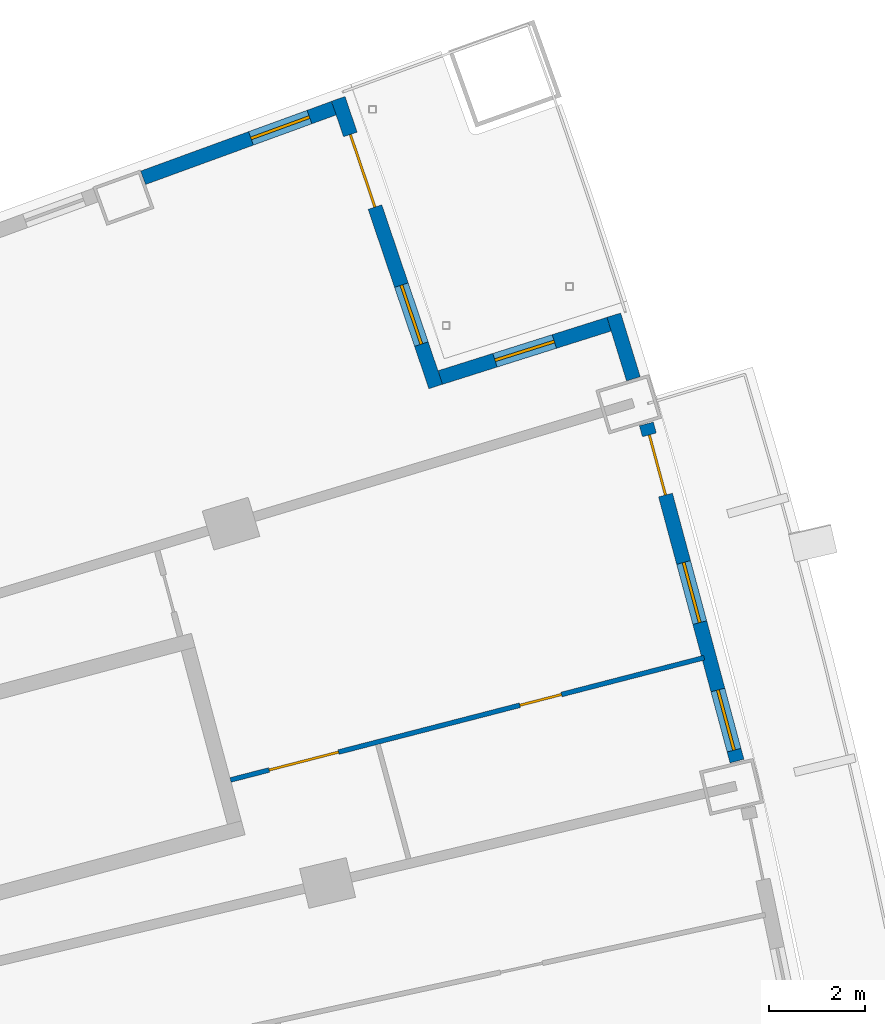
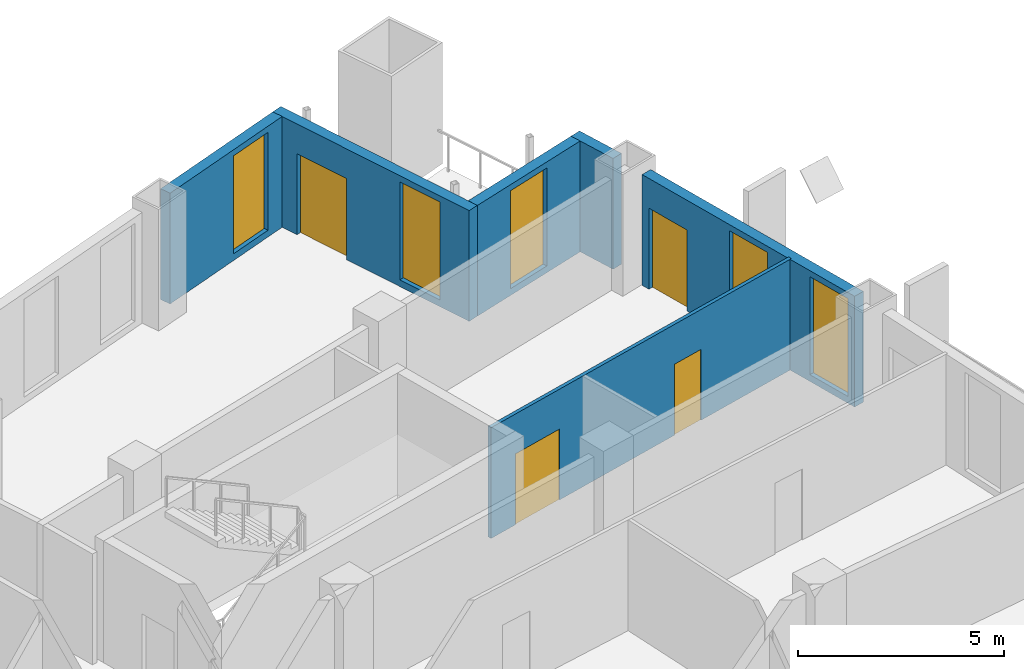
# One storey, part 21 of 25: 6 walls, 5 windows, 4 doors, 9 openings.
"""IFC4 building model written with IfcOpenShell, lengths in metres."""

from ifc_helpers import new_model, si_unit, direction, frame, frame_2d, origin, place, context, subcontext, project, spatial, rectangle, extrude, material, layer, layer_set, type_object, element, fill, save


model = new_model("IFC4")

# Units and contexts
model_context = context("Model", 3, precision=1e-05, world=origin(), true_north=direction((0.0, 1.0)))
body_context = subcontext(model_context, "Body", "Model", "MODEL_VIEW")
ifc_project = project(units=[si_unit("LENGTHUNIT", "METRE"), si_unit("AREAUNIT", "SQUARE_METRE"), si_unit("VOLUMEUNIT", "CUBIC_METRE"), si_unit("PLANEANGLEUNIT", "RADIAN"), si_unit("MASSUNIT", "GRAM", prefix="KILO")], contexts=[model_context])

# Site, building, storey
site_placement = place(None, origin())
site = spatial("IfcSite", under=ifc_project, at=site_placement, CompositionType="ELEMENT")
building_placement = place(site_placement, origin())
building = spatial("IfcBuilding", under=site, at=building_placement, Name="Alderwake Tower", CompositionType="ELEMENT")
storey_placement = place(building_placement, frame((0.0, 0.0, 89.60009765625)))
storey = spatial("IfcBuildingStorey", under=building, at=storey_placement, Name="L21", CompositionType="ELEMENT", Elevation=89.60009765625)

# Wall, openings, door, windows
ifc_material_1 = material(Name="Precast concrete C50/60 spandrel panel", Category="concrete")
ifc_layer_1 = layer(ifc_material_1, 0.300048828125)
ifc_layer_set_1 = layer_set([ifc_layer_1], Name="External wall EW1 Precast concrete C50/60 spandrel")
wall_type_1 = type_object("IfcWallType", Name="External wall EW1 Precast concrete C50/60 spandrel", PredefinedType="SOLIDWALL", material=ifc_layer_set_1)
wall_1_placement = place(storey_placement, frame((58.071044921875, 94.326904296875, 0.0), z_axis=(0.0, 0.0, 1.0), x_axis=(-0.259478431082, 0.965748903082, 0.0)))
wall_1 = element("IfcWall", 1, at=wall_1_placement, inside=storey, type_object=wall_type_1, Name="External wall 21", PredefinedType="SOLIDWALL", context=body_context, shape_type="SweptSolid", body=[
    extrude(rectangle(XDim=7.287109375, YDim=0.300048828125, at=frame_2d((3.6435546875, 0.0))), origin(), (0.0, 0.0, 1.0), 3.27978515625),
])
opening_1_placement = place(wall_1_placement, frame((0.23681640625, 0.0, 0.199951171875)))
opening_1 = element("IfcOpeningElement", 2, at=opening_1_placement, cuts=wall_1, Name="Opening W1", PredefinedType="OPENING", context=body_context, shape_type="SweptSolid", body=[
    extrude(rectangle(XDim=1.300048828125, YDim=2.89990234375, at=frame_2d((0.64990234375, 1.449951171875))), frame((0.0, 0.159912109375, 0.0), z_axis=(0.0, -1.0, 0.0), x_axis=(1.0, 0.0, 0.0)), (0.0, 0.0, 1.0), 0.320068359375),
])
opening_2_placement = place(wall_1_placement, frame((2.99365234375, 0.0, 0.199951171875)))
opening_2 = element("IfcOpeningElement", 3, at=opening_2_placement, cuts=wall_1, Name="Opening W1", PredefinedType="OPENING", context=body_context, shape_type="SweptSolid", body=[
    extrude(rectangle(XDim=1.300048828125, YDim=2.89990234375, at=frame_2d((0.64990234375, 1.449951171875))), frame((0.0, 0.159912109375, 0.0), z_axis=(0.0, -1.0, 0.0), x_axis=(1.0, 0.0, 0.0)), (0.0, 0.0, 1.0), 0.320068359375),
])
opening_3_placement = place(wall_1_placement, frame((5.75048828125, 0.0, 0.0)))
opening_3 = element("IfcOpeningElement", 4, at=opening_3_placement, cuts=wall_1, Name="Opening D11", PredefinedType="OPENING", context=body_context, shape_type="SweptSolid", body=[
    extrude(rectangle(XDim=1.300048828125, YDim=2.39990234375, at=frame_2d((0.64990234375, 1.199951171875))), frame((0.0, 0.159912109375, 0.0), z_axis=(0.0, -1.0, 0.0), x_axis=(1.0, 0.0, 0.0)), (0.0, 0.0, 1.0), 0.320068359375),
])
ifc_material_2 = material(Name="Bronze tinted glass in aluminium frame", Category="aluminium")
door_type_1 = type_object("IfcDoorType", Name="Balcony door BD sliding", OperationType="SLIDING_TO_LEFT", PredefinedType="DOOR", material=ifc_material_2)
door_1_placement = place(opening_3_placement, origin())
door_1 = element("IfcDoor", 5, at=door_1_placement, inside=storey, type_object=door_type_1, Name="Door D11", OperationType="SLIDING_TO_LEFT", OverallHeight=2.39990234375, OverallWidth=1.300048828125, PredefinedType="DOOR", context=body_context, shape_type="SweptSolid", body=[
    extrude(rectangle(XDim=1.300048828125, YDim=2.39990234375, at=frame_2d((0.64990234375, 1.199951171875))), frame((0.0, 0.02490234375, 0.0), z_axis=(0.0, -1.0, 0.0), x_axis=(1.0, 0.0, 0.0)), (0.0, 0.0, 1.0), 0.050048828125),
])
fill(opening_3, door_1)
ifc_material_3 = material(Name="Bronze tinted glass in aluminium frame", Category="aluminium")
window_type = type_object("IfcWindowType", Name="Window W1 tall fixed and vent", PartitioningType="DOUBLE_PANEL_VERTICAL", PredefinedType="WINDOW", material=ifc_material_3)
window_1_placement = place(opening_1_placement, origin())
window_1 = element("IfcWindow", 6, at=window_1_placement, inside=storey, type_object=window_type, Name="Window W1 tall fixed and vent", OverallHeight=2.89990234375, OverallWidth=1.300048828125, PartitioningType="DOUBLE_PANEL_VERTICAL", PredefinedType="WINDOW", context=body_context, shape_type="SweptSolid", body=[
    extrude(rectangle(XDim=1.300048828125, YDim=2.89990234375, at=frame_2d((0.64990234375, 1.449951171875))), frame((0.0, 0.030029296875, 0.0), z_axis=(0.0, -1.0, 0.0), x_axis=(1.0, 0.0, 0.0)), (0.0, 0.0, 1.0), 0.06005859375),
])
fill(opening_1, window_1)
window_2_placement = place(opening_2_placement, origin())
window_2 = element("IfcWindow", 7, at=window_2_placement, inside=storey, type_object=window_type, Name="Window W1 tall fixed and vent", OverallHeight=2.89990234375, OverallWidth=1.300048828125, PartitioningType="DOUBLE_PANEL_VERTICAL", PredefinedType="WINDOW", context=body_context, shape_type="SweptSolid", body=[
    extrude(rectangle(XDim=1.300048828125, YDim=2.89990234375, at=frame_2d((0.64990234375, 1.449951171875))), frame((0.0, 0.030029296875, 0.0), z_axis=(0.0, -1.0, 0.0), x_axis=(1.0, 0.0, 0.0)), (0.0, 0.0, 1.0), 0.06005859375),
])
fill(opening_2, window_2)

# Wall
wall_2_placement = place(storey_placement, frame((55.908935546875, 102.305908203125, 0.0), z_axis=(0.0, 0.0, 1.0), x_axis=(-0.294394228908, 0.955684068082, 0.0)))
element("IfcWall", 8, at=wall_2_placement, inside=storey, type_object=wall_type_1, Name="External wall 22", PredefinedType="SOLIDWALL", context=body_context, shape_type="SweptSolid", body=[
    extrude(rectangle(XDim=1.390625, YDim=0.300048828125, at=frame_2d((0.6953125, 0.0))), origin(), (0.0, 0.0, 1.0), 3.27978515625),
])

# Wall, opening, window
ifc_material_4 = material(Name="Bronze metal cladding on lightweight framing")
ifc_layer_2 = layer(ifc_material_4, 0.300048828125)
ifc_layer_set_2 = layer_set([ifc_layer_2], Name="External wall EW2 bronze metal cladding")
wall_type_2 = type_object("IfcWallType", Name="External wall EW2 bronze metal cladding", PredefinedType="SOLIDWALL", material=ifc_layer_set_2)
wall_3_placement = place(storey_placement, frame((55.400634765625, 103.4462890625, 0.0), z_axis=(0.0, 0.0, 1.0), x_axis=(-0.953472737628, -0.301479250697, 0.0)))
wall_3 = element("IfcWall", 9, at=wall_3_placement, inside=storey, type_object=wall_type_2, Name="External wall 23", PredefinedType="SOLIDWALL", context=body_context, shape_type="SweptSolid", body=[
    extrude(rectangle(XDim=3.6943359375, YDim=0.300048828125, at=frame_2d((1.84716796875, 0.0))), origin(), (0.0, 0.0, 1.0), 3.27978515625),
])
opening_4_placement = place(wall_3_placement, frame((1.197265625, 0.0, 0.199951171875)))
opening_4 = element("IfcOpeningElement", 10, at=opening_4_placement, cuts=wall_3, Name="Opening W1", PredefinedType="OPENING", context=body_context, shape_type="SweptSolid", body=[
    extrude(rectangle(XDim=1.300048828125, YDim=2.89990234375, at=frame_2d((0.64990234375, 1.449951171875))), frame((0.0, 0.159912109375, 0.0), z_axis=(0.0, -1.0, 0.0), x_axis=(1.0, 0.0, 0.0)), (0.0, 0.0, 1.0), 0.320068359375),
])
window_3_placement = place(opening_4_placement, origin())
window_3 = element("IfcWindow", 11, at=window_3_placement, inside=storey, type_object=window_type, Name="Window W1 tall fixed and vent", OverallHeight=2.89990234375, OverallWidth=1.300048828125, PartitioningType="DOUBLE_PANEL_VERTICAL", PredefinedType="WINDOW", context=body_context, shape_type="SweptSolid", body=[
    extrude(rectangle(XDim=1.300048828125, YDim=2.89990234375, at=frame_2d((0.64990234375, 1.449951171875))), frame((0.0, 0.030029296875, 0.0), z_axis=(0.0, -1.0, 0.0), x_axis=(1.0, 0.0, 0.0)), (0.0, 0.0, 1.0), 0.06005859375),
])
fill(opening_4, window_3)

# Wall, openings, door, window
wall_4_placement = place(storey_placement, frame((51.783203125, 102.145263671875, 0.0), z_axis=(0.0, 0.0, 1.0), x_axis=(-0.320891734408, 0.94711588245, 0.0)))
wall_4 = element("IfcWall", 12, at=wall_4_placement, inside=storey, type_object=wall_type_2, Name="External wall 24", PredefinedType="SOLIDWALL", context=body_context, shape_type="SweptSolid", body=[
    extrude(rectangle(XDim=6.339111328125, YDim=0.300048828125, at=frame_2d((3.16943359375, 0.0))), origin(), (0.0, 0.0, 1.0), 3.27978515625),
])
opening_5_placement = place(wall_4_placement, frame((0.934814453125, 0.0, 0.199951171875)))
opening_5 = element("IfcOpeningElement", 13, at=opening_5_placement, cuts=wall_4, Name="Opening W1", PredefinedType="OPENING", context=body_context, shape_type="SweptSolid", body=[
    extrude(rectangle(XDim=1.300048828125, YDim=2.89990234375, at=frame_2d((0.64990234375, 1.449951171875))), frame((0.0, 0.159912109375, 0.0), z_axis=(0.0, -1.0, 0.0), x_axis=(1.0, 0.0, 0.0)), (0.0, 0.0, 1.0), 0.320068359375),
])
opening_6_placement = place(wall_4_placement, frame((3.954345703125, 0.0, 0.0)))
opening_6 = element("IfcOpeningElement", 14, at=opening_6_placement, cuts=wall_4, Name="Opening D12", PredefinedType="OPENING", context=body_context, shape_type="SweptSolid", body=[
    extrude(rectangle(XDim=1.60009765625, YDim=2.39990234375, at=frame_2d((0.800048828125, 1.199951171875))), frame((0.0, 0.159912109375, 0.0), z_axis=(0.0, -1.0, 0.0), x_axis=(1.0, 0.0, 0.0)), (0.0, 0.0, 1.0), 0.320068359375),
])
ifc_material_5 = material(Name="Bronze tinted glass in aluminium frame", Category="aluminium")
door_type_2 = type_object("IfcDoorType", Name="Terrace door TD sliding", OperationType="SLIDING_TO_LEFT", PredefinedType="DOOR", material=ifc_material_5)
door_2_placement = place(opening_6_placement, origin())
door_2 = element("IfcDoor", 15, at=door_2_placement, inside=storey, type_object=door_type_2, Name="Door D12", OperationType="SLIDING_TO_LEFT", OverallHeight=2.39990234375, OverallWidth=1.60009765625, PredefinedType="DOOR", context=body_context, shape_type="SweptSolid", body=[
    extrude(rectangle(XDim=1.60009765625, YDim=2.39990234375, at=frame_2d((0.800048828125, 1.199951171875))), frame((0.0, 0.02490234375, 0.0), z_axis=(0.0, -1.0, 0.0), x_axis=(1.0, 0.0, 0.0)), (0.0, 0.0, 1.0), 0.050048828125),
])
fill(opening_6, door_2)
window_4_placement = place(opening_5_placement, origin())
window_4 = element("IfcWindow", 16, at=window_4_placement, inside=storey, type_object=window_type, Name="Window W1 tall fixed and vent", OverallHeight=2.89990234375, OverallWidth=1.300048828125, PartitioningType="DOUBLE_PANEL_VERTICAL", PredefinedType="WINDOW", context=body_context, shape_type="SweptSolid", body=[
    extrude(rectangle(XDim=1.300048828125, YDim=2.89990234375, at=frame_2d((0.64990234375, 1.449951171875))), frame((0.0, 0.030029296875, 0.0), z_axis=(0.0, -1.0, 0.0), x_axis=(1.0, 0.0, 0.0)), (0.0, 0.0, 1.0), 0.06005859375),
])
fill(opening_5, window_4)

# Wall, opening, window
wall_5_placement = place(storey_placement, frame((49.656494140625, 107.95556640625, 0.0), z_axis=(0.0, 0.0, 1.0), x_axis=(-0.93937558232, -0.342889946398, 0.0)))
wall_5 = element("IfcWall", 17, at=wall_5_placement, inside=storey, type_object=wall_type_2, Name="External wall 25", PredefinedType="SOLIDWALL", context=body_context, shape_type="SweptSolid", body=[
    extrude(rectangle(XDim=4.23779296875, YDim=0.300048828125, at=frame_2d((2.118896484375, 0.0))), origin(), (0.0, 0.0, 1.0), 3.27978515625),
])
opening_7_placement = place(wall_5_placement, frame((0.541259765625, 0.0, 0.199951171875)))
opening_7 = element("IfcOpeningElement", 18, at=opening_7_placement, cuts=wall_5, Name="Opening W1", PredefinedType="OPENING", context=body_context, shape_type="SweptSolid", body=[
    extrude(rectangle(XDim=1.300048828125, YDim=2.89990234375, at=frame_2d((0.64990234375, 1.449951171875))), frame((0.0, 0.159912109375, 0.0), z_axis=(0.0, -1.0, 0.0), x_axis=(1.0, 0.0, 0.0)), (0.0, 0.0, 1.0), 0.320068359375),
])
window_5_placement = place(opening_7_placement, origin())
window_5 = element("IfcWindow", 19, at=window_5_placement, inside=storey, type_object=window_type, Name="Window W1 tall fixed and vent", OverallHeight=2.89990234375, OverallWidth=1.300048828125, PartitioningType="DOUBLE_PANEL_VERTICAL", PredefinedType="WINDOW", context=body_context, shape_type="SweptSolid", body=[
    extrude(rectangle(XDim=1.300048828125, YDim=2.89990234375, at=frame_2d((0.64990234375, 1.449951171875))), frame((0.0, 0.030029296875, 0.0), z_axis=(0.0, -1.0, 0.0), x_axis=(1.0, 0.0, 0.0)), (0.0, 0.0, 1.0), 0.06005859375),
])
fill(opening_7, window_5)

# Wall, openings, doors
ifc_material_6 = material(Name="Gypsum board on metal studs")
ifc_layer_3 = layer(ifc_material_6, 0.10009765625)
ifc_layer_set_3 = layer_set([ifc_layer_3], Name="Unit partition 100")
wall_type_3 = type_object("IfcWallType", Name="Unit partition 100", PredefinedType="PARTITIONING", material=ifc_layer_set_3)
wall_6_placement = place(storey_placement, frame((47.4990234375, 93.93310546875, 0.0), z_axis=(0.0, 0.0, 1.0), x_axis=(0.96824764918, 0.249992979617, 0.0)))
wall_6 = element("IfcWall", 20, at=wall_6_placement, inside=storey, type_object=wall_type_3, Name="WL/L21/W75", PredefinedType="PARTITIONING", context=body_context, shape_type="SweptSolid", body=[
    extrude(rectangle(XDim=10.212158203125, YDim=0.10009765625, at=frame_2d((5.10595703125, 0.0))), origin(), (0.0, 0.0, 1.0), 3.27978515625),
])
opening_8_placement = place(wall_6_placement, frame((0.831787109375, 0.0, 0.0)))
opening_8 = element("IfcOpeningElement", 21, at=opening_8_placement, cuts=wall_6, Name="Opening R05-U02.2", PredefinedType="OPENING", context=body_context, shape_type="SweptSolid", body=[
    extrude(rectangle(XDim=1.5, YDim=2.10009765625, at=frame_2d((0.75, 1.050048828125))), frame((0.0, 0.06005859375, 0.0), z_axis=(0.0, -1.0, 0.0), x_axis=(1.0, 0.0, 0.0)), (0.0, 0.0, 1.0), 0.1201171875),
])
opening_9_placement = place(wall_6_placement, frame((6.23779296875, 0.0, 0.0)))
opening_9 = element("IfcOpeningElement", 22, at=opening_9_placement, cuts=wall_6, Name="Opening R05-U02.3", PredefinedType="OPENING", context=body_context, shape_type="SweptSolid", body=[
    extrude(rectangle(XDim=0.89990234375, YDim=2.10009765625, at=frame_2d((0.449951171875, 1.050048828125))), frame((0.0, 0.06005859375, 0.0), z_axis=(0.0, -1.0, 0.0), x_axis=(1.0, 0.0, 0.0)), (0.0, 0.0, 1.0), 0.1201171875),
])
ifc_material_7 = material(Name="Painted timber leaves", Category="wood")
door_type_3 = type_object("IfcDoorType", Name="Double leaf door 1500", OperationType="DOUBLE_DOOR_SINGLE_SWING", PredefinedType="DOOR", material=ifc_material_7)
door_3_placement = place(opening_8_placement, origin())
door_3 = element("IfcDoor", 23, at=door_3_placement, inside=storey, type_object=door_type_3, Name="DR/L21/U02.2", OperationType="DOUBLE_DOOR_SINGLE_SWING", OverallHeight=2.10009765625, OverallWidth=1.5, PredefinedType="DOOR", context=body_context, shape_type="SweptSolid", body=[
    extrude(rectangle(XDim=1.5, YDim=2.10009765625, at=frame_2d((0.75, 1.050048828125))), frame((0.0, 0.02490234375, 0.0), z_axis=(0.0, -1.0, 0.0), x_axis=(1.0, 0.0, 0.0)), (0.0, 0.0, 1.0), 0.050048828125),
])
fill(opening_8, door_3)
ifc_material_8 = material(Name="Painted timber leaf", Category="wood")
door_type_4 = type_object("IfcDoorType", Name="Room door 900", OperationType="SINGLE_SWING_LEFT", PredefinedType="DOOR", material=ifc_material_8)
door_4_placement = place(opening_9_placement, origin())
door_4 = element("IfcDoor", 24, at=door_4_placement, inside=storey, type_object=door_type_4, Name="DR/L21/U02.3", OperationType="SINGLE_SWING_LEFT", OverallHeight=2.10009765625, OverallWidth=0.89990234375, PredefinedType="DOOR", context=body_context, shape_type="SweptSolid", body=[
    extrude(rectangle(XDim=0.89990234375, YDim=2.10009765625, at=frame_2d((0.449951171875, 1.050048828125))), frame((0.0, 0.02490234375, 0.0), z_axis=(0.0, -1.0, 0.0), x_axis=(1.0, 0.0, 0.0)), (0.0, 0.0, 1.0), 0.050048828125),
])
fill(opening_9, door_4)

save(model, "model.ifc")
